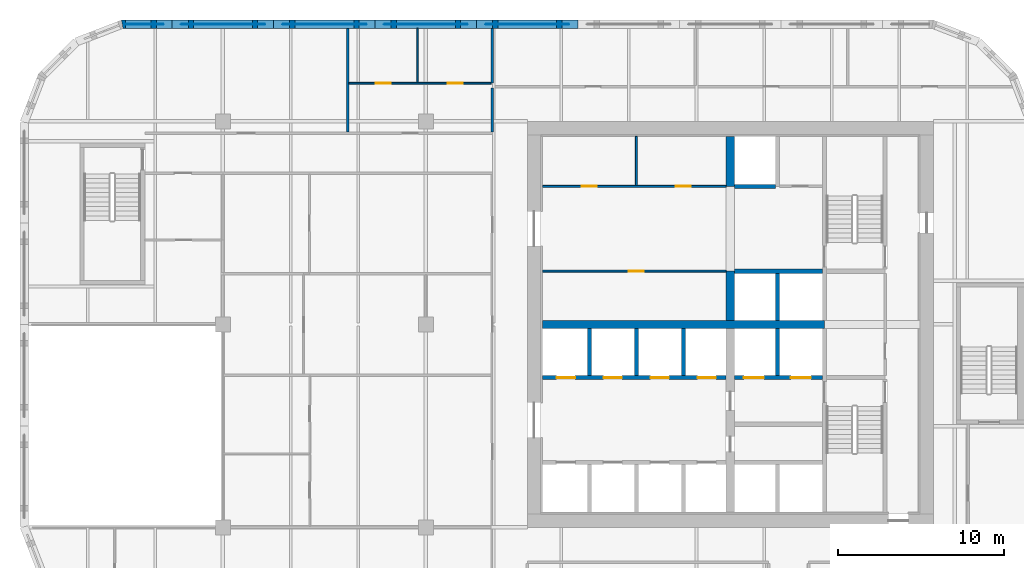
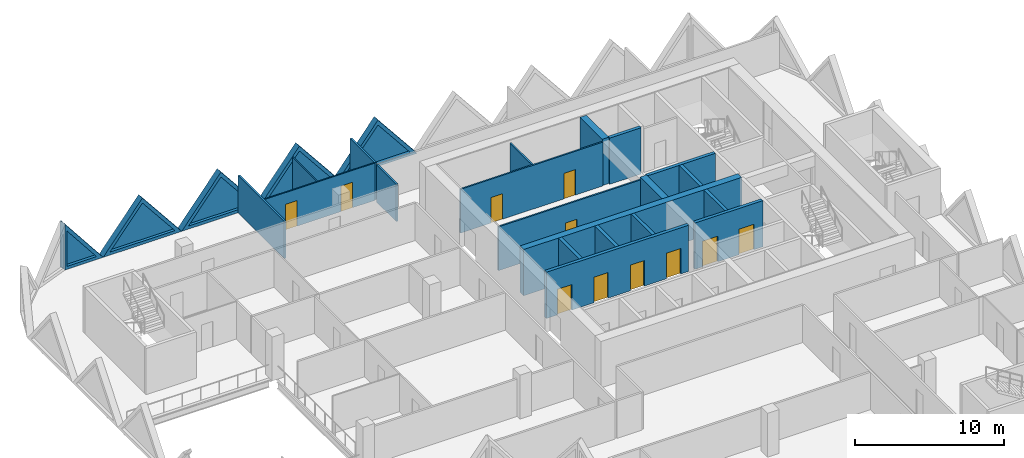
# One storey, part 9 of 19: 25 walls, 11 doors, 5 plates, 16 openings.
"""IFC4 building model written with IfcOpenShell, lengths in metres."""

from ifc_helpers import new_model, si_unit, direction, frame, frame_2d, origin, place, context, subcontext, project, spatial, polyline, rectangle, outline, extrude, faceted_brep, source, transform, mapped, material, layer, layer_set, type_object, element, fill, save


model = new_model("IFC4")

# Units and contexts
model_context = context("Model", 3, precision=1e-05, world=origin(), true_north=direction((0.0, 1.0)))
body_context = subcontext(model_context, "Body", "Model", "MODEL_VIEW")
ifc_project = project(units=[si_unit("LENGTHUNIT", "METRE"), si_unit("AREAUNIT", "SQUARE_METRE"), si_unit("VOLUMEUNIT", "CUBIC_METRE"), si_unit("PLANEANGLEUNIT", "RADIAN"), si_unit("MASSUNIT", "GRAM", prefix="KILO")], contexts=[model_context])

# Site, building, storey
site_placement = place(None, origin())
site = spatial("IfcSite", under=ifc_project, at=site_placement, CompositionType="ELEMENT")
building_placement = place(site_placement, origin())
building = spatial("IfcBuilding", under=site, at=building_placement, Name="Tessera Gate Towers", CompositionType="ELEMENT")
storey_placement = place(building_placement, frame((0.0, 0.0, 68.60009765625)))
storey = spatial("IfcBuildingStorey", under=building, at=storey_placement, Name="L16", CompositionType="ELEMENT", Elevation=68.60009765625)

# Wall, openings, doors
ifc_material_1 = material(Name="Concrete C40/50", Category="concrete")
ifc_layer_1 = layer(ifc_material_1, 0.25)
ifc_layer_set_1 = layer_set([ifc_layer_1], Name="CORE ENCLOSURE WALL 250")
wall_type_1 = type_object("IfcWallType", Name="CORE ENCLOSURE WALL 250", PredefinedType="SOLIDWALL", material=ifc_layer_set_1)
wall_1_placement = place(storey_placement, frame((42.449951171875, 33.39990234375, 0.0), z_axis=(0.0, 0.0, 1.0), x_axis=(-1.0, 0.0, 0.0)))
wall_1 = element("IfcWall", 1, at=wall_1_placement, inside=storey, type_object=wall_type_1, Name="L16 shaft and stair enclosure wall", PredefinedType="SOLIDWALL", context=body_context, shape_type="SweptSolid", body=[
    extrude(rectangle(XDim=11.050048828125, YDim=0.25, at=frame_2d((5.52490234375, 0.0))), origin(), (0.0, 0.0, 1.0), 3.7998046875),
])
shared_shape_1 = source(origin(), body_context, "Body", "SweptSolid", [
    extrude(rectangle(XDim=1.10009765625, YDim=2.10009765625, at=frame_2d((0.550048828125, 1.050048828125))), frame((0.0, 0.135009765625, 0.0), z_axis=(0.0, -1.0, 0.0), x_axis=(1.0, 0.0, 0.0)), (0.0, 0.0, 1.0), 0.27001953125),
])
opening_1_placement = place(wall_1_placement, frame((9.08740234375, 0.0, 0.0)))
opening_1 = element("IfcOpeningElement", 2, at=opening_1_placement, cuts=wall_1, Name="Opening LD-LR5", PredefinedType="OPENING", context=body_context, shape_type="MappedRepresentation", body=[
    mapped(shared_shape_1, transform((0.0, 0.0, 0.0), scale=1.0)),
])
opening_2_placement = place(wall_1_placement, frame((6.262451171875, 0.0, 0.0)))
opening_2 = element("IfcOpeningElement", 3, at=opening_2_placement, cuts=wall_1, Name="Opening LD-LR6", PredefinedType="OPENING", context=body_context, shape_type="MappedRepresentation", body=[
    mapped(shared_shape_1, transform((0.0, 0.0, 0.0), scale=1.0)),
])
opening_3_placement = place(wall_1_placement, frame((3.4375, 0.0, 0.0)))
opening_3 = element("IfcOpeningElement", 4, at=opening_3_placement, cuts=wall_1, Name="Opening LD-LR7", PredefinedType="OPENING", context=body_context, shape_type="MappedRepresentation", body=[
    mapped(shared_shape_1, transform((0.0, 0.0, 0.0), scale=1.0)),
])
opening_4_placement = place(wall_1_placement, frame((0.612548828125, 0.0, 0.0)))
opening_4 = element("IfcOpeningElement", 5, at=opening_4_placement, cuts=wall_1, Name="Opening LD-LR8", PredefinedType="OPENING", context=body_context, shape_type="MappedRepresentation", body=[
    mapped(shared_shape_1, transform((0.0, 0.0, 0.0), scale=1.0)),
])
ifc_material_2 = material(Name="Stainless steel", Category="steel")
door_type_1 = type_object("IfcDoorType", Name="CORE DOOR LD 1100x2100", OperationType="DOUBLE_DOOR_SLIDING", PredefinedType="DOOR", material=ifc_material_2)
shared_shape_2 = source(origin(), body_context, "Body", "SweptSolid", [
    extrude(rectangle(XDim=1.10009765625, YDim=2.10009765625, at=frame_2d((0.550048828125, 1.050048828125))), frame((0.0, 0.02490234375, 0.0), z_axis=(0.0, -1.0, 0.0), x_axis=(1.0, 0.0, 0.0)), (0.0, 0.0, 1.0), 0.050048828125),
])
door_1_placement = place(opening_1_placement, origin())
door_1 = element("IfcDoor", 6, at=door_1_placement, inside=storey, type_object=door_type_1, Name="Landing door LR5 L16", OperationType="DOUBLE_DOOR_SLIDING", OverallHeight=2.10009765625, OverallWidth=1.10009765625, PredefinedType="DOOR", context=body_context, shape_type="MappedRepresentation", body=[
    mapped(shared_shape_2, transform((0.0, 0.0, 0.0), scale=1.0)),
])
fill(opening_1, door_1)
door_2_placement = place(opening_2_placement, origin())
door_2 = element("IfcDoor", 7, at=door_2_placement, inside=storey, type_object=door_type_1, Name="Landing door LR6 L16", OperationType="DOUBLE_DOOR_SLIDING", OverallHeight=2.10009765625, OverallWidth=1.10009765625, PredefinedType="DOOR", context=body_context, shape_type="MappedRepresentation", body=[
    mapped(shared_shape_2, transform((0.0, 0.0, 0.0), scale=1.0)),
])
fill(opening_2, door_2)
door_3_placement = place(opening_3_placement, origin())
door_3 = element("IfcDoor", 8, at=door_3_placement, inside=storey, type_object=door_type_1, Name="Landing door LR7 L16", OperationType="DOUBLE_DOOR_SLIDING", OverallHeight=2.10009765625, OverallWidth=1.10009765625, PredefinedType="DOOR", context=body_context, shape_type="MappedRepresentation", body=[
    mapped(shared_shape_2, transform((0.0, 0.0, 0.0), scale=1.0)),
])
fill(opening_3, door_3)
door_4_placement = place(opening_4_placement, origin())
door_4 = element("IfcDoor", 9, at=door_4_placement, inside=storey, type_object=door_type_1, Name="Landing door LR8 L16", OperationType="DOUBLE_DOOR_SLIDING", OverallHeight=2.10009765625, OverallWidth=1.10009765625, PredefinedType="DOOR", context=body_context, shape_type="MappedRepresentation", body=[
    mapped(shared_shape_2, transform((0.0, 0.0, 0.0), scale=1.0)),
])
fill(opening_4, door_4)

wall_2_placement = place(storey_placement, frame((48.22509765625, 33.39990234375, 0.0), z_axis=(0.0, 0.0, 1.0), x_axis=(-1.0, 0.0, 0.0)))
wall_2 = element("IfcWall", 10, at=wall_2_placement, inside=storey, type_object=wall_type_1, Name="L16 shaft and stair enclosure wall", PredefinedType="SOLIDWALL", context=body_context, shape_type="SweptSolid", body=[
    extrude(rectangle(XDim=5.275146484375, YDim=0.25, at=frame_2d((2.6376953125, 0.0))), origin(), (0.0, 0.0, 1.0), 3.7998046875),
])
shared_shape_3 = source(origin(), body_context, "Body", "SweptSolid", [
    extrude(rectangle(XDim=1.199951171875, YDim=2.10009765625, at=frame_2d((0.60009765625, 1.050048828125))), frame((0.0, 0.135009765625, 0.0), z_axis=(0.0, -1.0, 0.0), x_axis=(1.0, 0.0, 0.0)), (0.0, 0.0, 1.0), 0.27001953125),
])
opening_5_placement = place(wall_2_placement, frame((3.512451171875, 0.0, 0.0)))
opening_5 = element("IfcOpeningElement", 11, at=opening_5_placement, cuts=wall_2, Name="Opening LD-FF1", PredefinedType="OPENING", context=body_context, shape_type="MappedRepresentation", body=[
    mapped(shared_shape_3, transform((0.0, 0.0, 0.0), scale=1.0)),
])
opening_6_placement = place(wall_2_placement, frame((0.6875, 0.0, 0.0)))
opening_6 = element("IfcOpeningElement", 12, at=opening_6_placement, cuts=wall_2, Name="Opening LD-FF2", PredefinedType="OPENING", context=body_context, shape_type="MappedRepresentation", body=[
    mapped(shared_shape_3, transform((0.0, 0.0, 0.0), scale=1.0)),
])
ifc_material_3 = material(Name="Stainless steel", Category="steel")
door_type_2 = type_object("IfcDoorType", Name="CORE DOOR LD1200 1200x2100", OperationType="DOUBLE_DOOR_SLIDING", PredefinedType="DOOR", material=ifc_material_3)
shared_shape_4 = source(origin(), body_context, "Body", "SweptSolid", [
    extrude(rectangle(XDim=1.199951171875, YDim=2.10009765625, at=frame_2d((0.60009765625, 1.050048828125))), frame((0.0, 0.02490234375, 0.0), z_axis=(0.0, -1.0, 0.0), x_axis=(1.0, 0.0, 0.0)), (0.0, 0.0, 1.0), 0.050048828125),
])
door_5_placement = place(opening_5_placement, origin())
door_5 = element("IfcDoor", 13, at=door_5_placement, inside=storey, type_object=door_type_2, Name="Landing door FF1 L16", OperationType="DOUBLE_DOOR_SLIDING", OverallHeight=2.10009765625, OverallWidth=1.199951171875, PredefinedType="DOOR", context=body_context, shape_type="MappedRepresentation", body=[
    mapped(shared_shape_4, transform((0.0, 0.0, 0.0), scale=1.0)),
])
fill(opening_5, door_5)
door_6_placement = place(opening_6_placement, origin())
door_6 = element("IfcDoor", 14, at=door_6_placement, inside=storey, type_object=door_type_2, Name="Landing door FF2 L16", OperationType="DOUBLE_DOOR_SLIDING", OverallHeight=2.10009765625, OverallWidth=1.199951171875, PredefinedType="DOOR", context=body_context, shape_type="MappedRepresentation", body=[
    mapped(shared_shape_4, transform((0.0, 0.0, 0.0), scale=1.0)),
])
fill(opening_6, door_6)

# Walls
wall_3_placement = place(storey_placement, frame((42.949951171875, 39.800048828125, 0.0), z_axis=(0.0, 0.0, 1.0), x_axis=(1.0, 0.0, 0.0)))
element("IfcWall", 15, at=wall_3_placement, inside=storey, type_object=wall_type_1, Name="L16 shaft and stair enclosure wall", PredefinedType="SOLIDWALL", context=body_context, shape_type="SweptSolid", body=[
    extrude(rectangle(XDim=5.275146484375, YDim=0.25, at=frame_2d((2.6376953125, 0.0))), origin(), (0.0, 0.0, 1.0), 3.7998046875),
])
wall_4_placement = place(storey_placement, frame((45.52490234375, 33.52490234375, 0.0), z_axis=(0.0, 0.0, 1.0), x_axis=(0.0, 1.0, 0.0)))
element("IfcWall", 16, at=wall_4_placement, inside=storey, type_object=wall_type_1, Name="L16 shaft and stair enclosure wall", PredefinedType="SOLIDWALL", context=body_context, shape_type="SweptSolid", body=[
    extrude(rectangle(XDim=2.8251953125, YDim=0.25, at=frame_2d((1.41259765625, 0.0))), origin(), (0.0, 0.0, 1.0), 3.7998046875),
])
wall_5_placement = place(storey_placement, frame((45.52490234375, 36.85009765625, 0.0), z_axis=(0.0, 0.0, 1.0), x_axis=(0.0, 1.0, 0.0)))
element("IfcWall", 17, at=wall_5_placement, inside=storey, type_object=wall_type_1, Name="L16 shaft and stair enclosure wall", PredefinedType="SOLIDWALL", context=body_context, shape_type="SweptSolid", body=[
    extrude(rectangle(XDim=2.824951171875, YDim=0.25, at=frame_2d((1.41259765625, 0.0))), origin(), (0.0, 0.0, 1.0), 3.7998046875),
])
for number, where, z_axis, x_axis, name in (
    (18, (34.22509765625, 33.52490234375, 0.0), (0.0, 0.0, 1.0), (0.0, 1.0, 0.0), "L16 shaft and stair enclosure wall"),
    (19, (37.050048828125, 33.52490234375, 0.0), (0.0, 0.0, 1.0), (0.0, 1.0, 0.0), "L16 shaft and stair enclosure wall"),
    (20, (39.875, 33.52490234375, 0.0), (0.0, 0.0, 1.0), (0.0, 1.0, 0.0), "L16 shaft and stair enclosure wall"),
):
    element("IfcWall", number, at=place(storey_placement, frame(where, z_axis=z_axis, x_axis=x_axis)), inside=storey, type_object=wall_type_1, Name=name, PredefinedType="SOLIDWALL", context=body_context, shape_type="SweptSolid", body=[
        extrude(rectangle(XDim=2.8251953125, YDim=0.25, at=frame_2d((1.41259765625, 0.0))), origin(), (0.0, 0.0, 1.0), 3.7998046875),
    ])
wall_6_placement = place(storey_placement, frame((42.949951171875, 44.89990234375, 0.0), z_axis=(0.0, 0.0, 1.0), x_axis=(1.0, 0.0, 0.0)))
element("IfcWall", 21, at=wall_6_placement, inside=storey, type_object=wall_type_1, Name="L16 shaft and stair enclosure wall", PredefinedType="SOLIDWALL", context=body_context, shape_type="SweptSolid", body=[
    extrude(rectangle(XDim=2.449951171875, YDim=0.25, at=frame_2d((1.22509765625, 0.0))), origin(), (0.0, 0.0, 1.0), 3.7998046875),
])

# Wall, opening, door
ifc_material_4 = material(Name="Gypsum board on steel studs", Category="steel")
ifc_layer_2 = layer(ifc_material_4, 0.1201171875)
ifc_layer_set_2 = layer_set([ifc_layer_2], Name="CORE PARTITION 120")
wall_type_2 = type_object("IfcWallType", Name="CORE PARTITION 120", PredefinedType="PARTITIONING", material=ifc_layer_set_2)
wall_7_placement = place(storey_placement, frame((42.449951171875, 39.800048828125, 0.0), z_axis=(0.0, 0.0, 1.0), x_axis=(-1.0, 0.0, 0.0)))
wall_7 = element("IfcWall", 22, at=wall_7_placement, inside=storey, type_object=wall_type_2, Name="L16 core partition", PredefinedType="PARTITIONING", context=body_context, shape_type="SweptSolid", body=[
    extrude(rectangle(XDim=11.050048828125, YDim=0.1201171875, at=frame_2d((5.52490234375, 0.0))), origin(), (0.0, 0.0, 1.0), 3.599853515625),
])
shared_shape_5 = source(origin(), body_context, "Body", "SweptSolid", [
    extrude(rectangle(XDim=0.89990234375, YDim=2.10009765625, at=frame_2d((0.449951171875, 1.050048828125))), frame((0.0, 0.070068359375, 0.0), z_axis=(0.0, -1.0, 0.0), x_axis=(1.0, 0.0, 0.0)), (0.0, 0.0, 1.0), 0.14013671875),
])
opening_7_placement = place(wall_7_placement, frame((4.949951171875, 0.0, 0.0)))
opening_7 = element("IfcOpeningElement", 23, at=opening_7_placement, cuts=wall_7, Name="Opening RD-T1-12-07", PredefinedType="OPENING", context=body_context, shape_type="MappedRepresentation", body=[
    mapped(shared_shape_5, transform((0.0, 0.0, 0.0), scale=1.0)),
])
ifc_material_5 = material(Name="Hollow steel fire door", Category="steel")
door_type_3 = type_object("IfcDoorType", Name="CORE DOOR RD 900x2100", OperationType="NOTDEFINED", PredefinedType="DOOR", material=ifc_material_5)
shared_shape_6 = source(origin(), body_context, "Body", "SweptSolid", [
    extrude(rectangle(XDim=0.89990234375, YDim=2.10009765625, at=frame_2d((0.449951171875, 1.050048828125))), frame((0.0, 0.02490234375, 0.0), z_axis=(0.0, -1.0, 0.0), x_axis=(1.0, 0.0, 0.0)), (0.0, 0.0, 1.0), 0.050048828125),
])
door_7_placement = place(opening_7_placement, origin())
door_7 = element("IfcDoor", 24, at=door_7_placement, inside=storey, type_object=door_type_3, Name="Core room door", OperationType="SINGLE_SWING_LEFT", OverallHeight=2.10009765625, OverallWidth=0.89990234375, PredefinedType="DOOR", context=body_context, shape_type="MappedRepresentation", body=[
    mapped(shared_shape_6, transform((0.0, 0.0, 0.0), scale=1.0)),
])
fill(opening_7, door_7)

# Wall, openings, doors
wall_8_placement = place(storey_placement, frame((31.39990234375, 44.89990234375, 0.0), z_axis=(0.0, 0.0, 1.0), x_axis=(1.0, 0.0, 0.0)))
wall_8 = element("IfcWall", 25, at=wall_8_placement, inside=storey, type_object=wall_type_2, Name="L16 core partition", PredefinedType="PARTITIONING", context=body_context, shape_type="SweptSolid", body=[
    extrude(rectangle(XDim=11.050048828125, YDim=0.1201171875, at=frame_2d((5.52490234375, 0.0))), origin(), (0.0, 0.0, 1.0), 3.599853515625),
])
opening_8_placement = place(wall_8_placement, frame((2.375, 0.0, 0.0)))
opening_8 = element("IfcOpeningElement", 26, at=opening_8_placement, cuts=wall_8, Name="Opening RD-T1-12-08", PredefinedType="OPENING", context=body_context, shape_type="MappedRepresentation", body=[
    mapped(shared_shape_5, transform((0.0, 0.0, 0.0), scale=1.0)),
])
opening_9_placement = place(wall_8_placement, frame((8.02490234375, 0.0, 0.0)))
opening_9 = element("IfcOpeningElement", 27, at=opening_9_placement, cuts=wall_8, Name="Opening RD-T1-12-09", PredefinedType="OPENING", context=body_context, shape_type="MappedRepresentation", body=[
    mapped(shared_shape_5, transform((0.0, 0.0, 0.0), scale=1.0)),
])
door_8_placement = place(opening_8_placement, origin())
door_8 = element("IfcDoor", 28, at=door_8_placement, inside=storey, type_object=door_type_3, Name="Core room door", OperationType="SINGLE_SWING_LEFT", OverallHeight=2.10009765625, OverallWidth=0.89990234375, PredefinedType="DOOR", context=body_context, shape_type="MappedRepresentation", body=[
    mapped(shared_shape_6, transform((0.0, 0.0, 0.0), scale=1.0)),
])
fill(opening_8, door_8)
door_9_placement = place(opening_9_placement, origin())
door_9 = element("IfcDoor", 29, at=door_9_placement, inside=storey, type_object=door_type_3, Name="Core room door", OperationType="SINGLE_SWING_RIGHT", OverallHeight=2.10009765625, OverallWidth=0.89990234375, PredefinedType="DOOR", context=body_context, shape_type="MappedRepresentation", body=[
    mapped(shared_shape_6, transform((0.0, 0.0, 0.0), scale=1.0)),
])
fill(opening_9, door_9)

# Walls
wall_9_placement = place(storey_placement, frame((37.050048828125, 44.9599609375, 0.0), z_axis=(0.0, 0.0, 1.0), x_axis=(0.0, 1.0, 0.0)))
element("IfcWall", 30, at=wall_9_placement, inside=storey, type_object=wall_type_2, Name="L16 core partition", PredefinedType="PARTITIONING", context=body_context, shape_type="SweptSolid", body=[
    extrude(rectangle(XDim=2.93994140625, YDim=0.1201171875, at=frame_2d((1.469970703125, 0.0))), origin(), (0.0, 0.0, 1.0), 3.599853515625),
])
ifc_material_6 = material(Name="Concrete C60/75", Category="concrete")
ifc_layer_3 = layer(ifc_material_6, 0.5)
ifc_layer_set_3 = layer_set([ifc_layer_3], Name="CORE SPINE WALL 500 C60/75")
wall_type_3 = type_object("IfcWallType", Name="CORE SPINE WALL 500 C60/75", PredefinedType="SHEAR", material=ifc_layer_set_3)
wall_10_placement = place(storey_placement, frame((31.39990234375, 36.60009765625, 0.0), z_axis=(0.0, 0.0, 1.0), x_axis=(1.0, 0.0, 0.0)))
element("IfcWall", 31, at=wall_10_placement, inside=storey, type_object=wall_type_3, Name="Core wall spine L16", PredefinedType="SHEAR", context=body_context, shape_type="SweptSolid", body=[
    extrude(rectangle(XDim=16.9501953125, YDim=0.5, at=frame_2d((8.47509765625, 0.0))), origin(), (0.0, 0.0, 1.0), 3.7998046875),
])
wall_11_placement = place(storey_placement, frame((42.699951171875, 36.85009765625, 0.0), z_axis=(0.0, 0.0, 1.0), x_axis=(0.0, 1.0, 0.0)))
element("IfcWall", 32, at=wall_11_placement, inside=storey, type_object=wall_type_3, Name="Core wall spine L16", PredefinedType="SHEAR", context=body_context, shape_type="SweptSolid", body=[
    extrude(rectangle(XDim=2.949951171875, YDim=0.5, at=frame_2d((1.47509765625, 0.0))), origin(), (0.0, 0.0, 1.0), 3.7998046875),
])
wall_12_placement = place(storey_placement, frame((42.699951171875, 44.89990234375, 0.0), z_axis=(0.0, 0.0, 1.0), x_axis=(0.0, 1.0, 0.0)))
element("IfcWall", 33, at=wall_12_placement, inside=storey, type_object=wall_type_3, Name="Core wall spine L16", PredefinedType="SHEAR", context=body_context, shape_type="SweptSolid", body=[
    extrude(rectangle(XDim=3.0, YDim=0.5, at=frame_2d((1.5, 0.0))), origin(), (0.0, 0.0, 1.0), 3.7998046875),
])
ifc_material_7 = material(Name="Gypsum board on steel studs, mineral wool", Category="steel")
ifc_layer_4 = layer(ifc_material_7, 0.14990234375)
ifc_layer_set_4 = layer_set([ifc_layer_4], Name="CORRIDOR WALL 150")
wall_type_4 = type_object("IfcWallType", Name="CORRIDOR WALL 150", PredefinedType="PARTITIONING", material=ifc_layer_set_4)
wall_13_placement = place(storey_placement, frame((28.39990234375, 48.176025390625, 0.0), z_axis=(0.0, 0.0, 1.0), x_axis=(0.0, 1.0, 0.0)))
element("IfcWall", 34, at=wall_13_placement, inside=storey, type_object=wall_type_4, Name="T1-L16-PW-045", PredefinedType="PARTITIONING", context=body_context, shape_type="SweptSolid", body=[
    extrude(rectangle(XDim=2.64794921875, YDim=0.14990234375, at=frame_2d((1.323974609375, 0.0))), origin(), (0.0, 0.0, 1.0), 3.06689453125),
])

# Wall, openings, doors
ifc_material_8 = material(Name="Gypsum board on steel studs", Category="steel")
ifc_layer_5 = layer(ifc_material_8, 0.10009765625)
ifc_layer_set_5 = layer_set([ifc_layer_5], Name="PARTITION 100")
wall_type_5 = type_object("IfcWallType", Name="PARTITION 100", PredefinedType="PARTITIONING", material=ifc_layer_set_5)
wall_14_placement = place(storey_placement, frame((19.77587890625, 51.10009765625, 0.0), z_axis=(0.0, 0.0, 1.0), x_axis=(1.0, 0.0, 0.0)))
wall_14 = element("IfcWall", 35, at=wall_14_placement, inside=storey, type_object=wall_type_5, Name="T1-L16-PW-049", PredefinedType="PARTITIONING", context=body_context, shape_type="SweptSolid", body=[
    extrude(rectangle(XDim=8.548095703125, YDim=0.10009765625, at=frame_2d((4.27392578125, 0.0))), origin(), (0.0, 0.0, 1.0), 3.06689453125),
])
shared_shape_7 = source(origin(), body_context, "Body", "SweptSolid", [
    extrude(rectangle(XDim=0.89990234375, YDim=2.10009765625, at=frame_2d((0.449951171875, 1.050048828125))), frame((0.0, 0.06005859375, 0.0), z_axis=(0.0, -1.0, 0.0), x_axis=(1.0, 0.0, 0.0)), (0.0, 0.0, 1.0), 0.1201171875),
])
opening_10_placement = place(wall_14_placement, frame((1.60009765625, 0.0, 0.0)))
opening_10 = element("IfcOpeningElement", 36, at=opening_10_placement, cuts=wall_14, Name="Opening D190-A06-01", PredefinedType="OPENING", context=body_context, shape_type="MappedRepresentation", body=[
    mapped(shared_shape_7, transform((0.0, 0.0, 0.0), scale=1.0)),
])
opening_11_placement = place(wall_14_placement, frame((5.927001953125, 0.0, 0.0)))
opening_11 = element("IfcOpeningElement", 37, at=opening_11_placement, cuts=wall_14, Name="Opening D190-A06-03", PredefinedType="OPENING", context=body_context, shape_type="MappedRepresentation", body=[
    mapped(shared_shape_7, transform((0.0, 0.0, 0.0), scale=1.0)),
])
ifc_material_9 = material(Name="Timber door leaf in steel frame", Category="steel")
door_type_4 = type_object("IfcDoorType", Name="INTERNAL DOOR 900 NOT RATED", OperationType="NOTDEFINED", PredefinedType="DOOR", material=ifc_material_9)
door_10_placement = place(opening_10_placement, origin())
door_10 = element("IfcDoor", 38, at=door_10_placement, inside=storey, type_object=door_type_4, Name="T1-L16-PD-002", OperationType="SINGLE_SWING_LEFT", OverallHeight=2.10009765625, OverallWidth=0.89990234375, PredefinedType="DOOR", context=body_context, shape_type="MappedRepresentation", body=[
    mapped(shared_shape_6, transform((0.0, 0.0, 0.0), scale=1.0)),
])
fill(opening_10, door_10)
door_11_placement = place(opening_11_placement, origin())
door_11 = element("IfcDoor", 39, at=door_11_placement, inside=storey, type_object=door_type_4, Name="T1-L16-PD-005", OperationType="SINGLE_SWING_LEFT", OverallHeight=2.10009765625, OverallWidth=0.89990234375, PredefinedType="DOOR", context=body_context, shape_type="MappedRepresentation", body=[
    mapped(shared_shape_6, transform((0.0, 0.0, 0.0), scale=1.0)),
])
fill(opening_11, door_11)

# Walls
wall_15_placement = place(storey_placement, frame((23.903076171875, 51.15087890625, 0.0), z_axis=(0.0, 0.0, 1.0), x_axis=(0.0, 1.0, 0.0)))
element("IfcWall", 40, at=wall_15_placement, inside=storey, type_object=wall_type_5, Name="T1-L16-PW-051", PredefinedType="PARTITIONING", context=body_context, shape_type="SweptSolid", body=[
    extrude(rectangle(XDim=3.2490234375, YDim=0.10009765625, at=frame_2d((1.62451171875, 0.0))), origin(), (0.0, 0.0, 1.0), 3.06689453125),
])
ifc_material_10 = material(Name="Gypsum board on steel studs, mineral wool", Category="steel")
ifc_layer_6 = layer(ifc_material_10, 0.14990234375)
ifc_layer_set_6 = layer_set([ifc_layer_6], Name="TENANCY WALL 150")
wall_type_6 = type_object("IfcWallType", Name="TENANCY WALL 150", PredefinedType="PARTITIONING", material=ifc_layer_set_6)
wall_16_placement = place(storey_placement, frame((19.699951171875, 48.176025390625, 0.0), z_axis=(0.0, 0.0, 1.0), x_axis=(0.0, 1.0, 0.0)))
element("IfcWall", 41, at=wall_16_placement, inside=storey, type_object=wall_type_6, Name="T1-L16-PW-044", PredefinedType="PARTITIONING", context=body_context, shape_type="SweptSolid", body=[
    extrude(rectangle(XDim=6.223876953125, YDim=0.14990234375, at=frame_2d((3.11181640625, 0.0))), origin(), (0.0, 0.0, 1.0), 3.06689453125),
])
wall_17_placement = place(storey_placement, frame((28.39990234375, 51.10009765625, 0.0), z_axis=(0.0, 0.0, 1.0), x_axis=(0.0, 1.0, 0.0)))
element("IfcWall", 42, at=wall_17_placement, inside=storey, type_object=wall_type_6, Name="T1-L16-PW-050", PredefinedType="PARTITIONING", context=body_context, shape_type="SweptSolid", body=[
    extrude(rectangle(XDim=3.2998046875, YDim=0.14990234375, at=frame_2d((1.64990234375, 0.0))), origin(), (0.0, 0.0, 1.0), 3.06689453125),
])

# Wall, opening, plate
ifc_material_11 = material(Name="Precast concrete C60/75 white", Category="concrete")
ifc_layer_7 = layer(ifc_material_11, 0.5)
ifc_layer_set_7 = layer_set([ifc_layer_7], Name="TS2 half tessera")
wall_type_7 = type_object("IfcWallType", Name="TS2 half tessera", PredefinedType="SOLIDWALL", material=ifc_layer_set_7)
shared_shape_8 = source(origin(), body_context, "Body", "Brep", [
    faceted_brep([(6.099853515625, -0.25, 0.000244140625), (3.050048828125, -0.25, 3.7998046875), (0.0, -0.25, 0.0), (6.099853515625, -0.25, 0.0), (0.0, 0.25, 0.0), (3.050048828125, 0.25, 3.7998046875), (6.099853515625, 0.25, 0.000244140625), (6.099853515625, 0.25, 0.0)], [[[0, 1, 2, 3]], [[4, 5, 6, 7]], [[6, 5, 1, 0]], [[5, 4, 2, 1]], [[4, 7, 3, 2]], [[3, 7, 6, 0]]]),
])
wall_18_placement = place(storey_placement, frame((27.449951171875, 54.64990234375, 0.0), z_axis=(0.0, 0.0, 1.0), x_axis=(-1.0, 0.0, 0.0)))
wall_18 = element("IfcWall", 43, at=wall_18_placement, inside=storey, type_object=wall_type_7, Name="Precast half tessera T1 TS2-0106", PredefinedType="SOLIDWALL", context=body_context, shape_type="MappedRepresentation", body=[
    mapped(shared_shape_8, transform((0.0, 0.0, 0.0), scale=1.0)),
])
shared_shape_9 = source(origin(), body_context, "Body", "SweptSolid", [
    extrude(outline(polyline([(5.578857421875, 0.25), (3.050048828125, 3.400390625), (0.521240234375, 0.25), (5.578857421875, 0.25)])), frame((0.0, 0.260009765625, 0.0), z_axis=(0.0, -1.0, 0.0), x_axis=(1.0, 0.0, 0.0)), (0.0, 0.0, 1.0), 0.52001953125),
])
opening_12_placement = place(wall_18_placement, origin())
opening_12 = element("IfcOpeningElement", 44, at=opening_12_placement, cuts=wall_18, Name="Opening T1-PL1-0212", PredefinedType="OPENING", context=body_context, shape_type="MappedRepresentation", body=[
    mapped(shared_shape_9, transform((0.0, 0.0, 0.0), scale=1.0)),
])
ifc_material_12 = material(Name="Low-e laminated glass", Category="glass")
ifc_layer_8 = layer(ifc_material_12, 0.06005859375)
ifc_layer_set_8 = layer_set([ifc_layer_8], Name="PL1 triangular pane")
plate_type = type_object("IfcPlateType", Name="PL1 triangular pane", PredefinedType="SHEET", material=ifc_layer_set_8)
shared_shape_10 = source(origin(), body_context, "Body", "SweptSolid", [
    extrude(outline(polyline([(5.578857421875, 0.25), (3.050048828125, 3.400390625), (0.521240234375, 0.25), (5.578857421875, 0.25)])), frame((0.0, 0.030029296875, 0.0), z_axis=(0.0, -1.0, 0.0), x_axis=(1.0, 0.0, 0.0)), (0.0, 0.0, 1.0), 0.06005859375),
])
plate_1_placement = place(opening_12_placement, origin())
plate_1 = element("IfcPlate", 45, at=plate_1_placement, inside=storey, type_object=plate_type, Name="Glass pane T1 PL1-0212", PredefinedType="SHEET", context=body_context, shape_type="MappedRepresentation", body=[
    mapped(shared_shape_10, transform((0.0, 0.0, 0.0), scale=1.0)),
])
fill(opening_12, plate_1)

shared_shape_11 = source(origin(), body_context, "Body", "SweptSolid", [
    extrude(outline(polyline([(6.10009765625, 0.0), (3.050048828125, 3.7998046875), (0.0, 0.0), (6.10009765625, 0.0)])), frame((0.0, 0.25, 0.0), z_axis=(0.0, -1.0, 0.0), x_axis=(1.0, 0.0, 0.0)), (0.0, 0.0, 1.0), 0.5),
])
wall_19_placement = place(storey_placement, frame((33.550048828125, 54.64990234375, 0.0), z_axis=(0.0, 0.0, 1.0), x_axis=(-1.0, 0.0, 0.0)))
wall_19 = element("IfcWall", 46, at=wall_19_placement, inside=storey, type_object=wall_type_7, Name="Precast half tessera T1 TS2-0105", PredefinedType="SOLIDWALL", context=body_context, shape_type="MappedRepresentation", body=[
    mapped(shared_shape_11, transform((0.0, 0.0, 0.0), scale=1.0)),
])
opening_13_placement = place(wall_19_placement, origin())
opening_13 = element("IfcOpeningElement", 47, at=opening_13_placement, cuts=wall_19, Name="Opening T1-PL1-0211", PredefinedType="OPENING", context=body_context, shape_type="MappedRepresentation", body=[
    mapped(shared_shape_9, transform((0.0, 0.0, 0.0), scale=1.0)),
])
plate_2_placement = place(opening_13_placement, origin())
plate_2 = element("IfcPlate", 48, at=plate_2_placement, inside=storey, type_object=plate_type, Name="Glass pane T1 PL1-0211", PredefinedType="SHEET", context=body_context, shape_type="MappedRepresentation", body=[
    mapped(shared_shape_10, transform((0.0, 0.0, 0.0), scale=1.0)),
])
fill(opening_13, plate_2)

wall_20_placement = place(storey_placement, frame((21.35009765625, 54.64990234375, 0.0), z_axis=(0.0, 0.0, 1.0), x_axis=(-1.0, 0.0, 0.0)))
wall_20 = element("IfcWall", 49, at=wall_20_placement, inside=storey, type_object=wall_type_7, Name="Precast half tessera T1 TS2-0107", PredefinedType="SOLIDWALL", context=body_context, shape_type="MappedRepresentation", body=[
    mapped(shared_shape_11, transform((0.0, 0.0, 0.0), scale=1.0)),
])
opening_14_placement = place(wall_20_placement, origin())
opening_14 = element("IfcOpeningElement", 50, at=opening_14_placement, cuts=wall_20, Name="Opening T1-PL1-0213", PredefinedType="OPENING", context=body_context, shape_type="MappedRepresentation", body=[
    mapped(shared_shape_9, transform((0.0, 0.0, 0.0), scale=1.0)),
])
plate_3_placement = place(opening_14_placement, origin())
plate_3 = element("IfcPlate", 51, at=plate_3_placement, inside=storey, type_object=plate_type, Name="Glass pane T1 PL1-0213", PredefinedType="SHEET", context=body_context, shape_type="MappedRepresentation", body=[
    mapped(shared_shape_10, transform((0.0, 0.0, 0.0), scale=1.0)),
])
fill(opening_14, plate_3)

wall_21_placement = place(storey_placement, frame((15.25, 54.64990234375, 0.0), z_axis=(0.0, 0.0, 1.0), x_axis=(-1.0, 0.0, 0.0)))
wall_21 = element("IfcWall", 52, at=wall_21_placement, inside=storey, type_object=wall_type_7, Name="Precast half tessera T1 TS2-0108", PredefinedType="SOLIDWALL", context=body_context, shape_type="MappedRepresentation", body=[
    mapped(shared_shape_11, transform((0.0, 0.0, 0.0), scale=1.0)),
])
opening_15_placement = place(wall_21_placement, origin())
opening_15 = element("IfcOpeningElement", 53, at=opening_15_placement, cuts=wall_21, Name="Opening T1-PL1-0214", PredefinedType="OPENING", context=body_context, shape_type="MappedRepresentation", body=[
    mapped(shared_shape_9, transform((0.0, 0.0, 0.0), scale=1.0)),
])
plate_4_placement = place(opening_15_placement, origin())
plate_4 = element("IfcPlate", 54, at=plate_4_placement, inside=storey, type_object=plate_type, Name="Glass pane T1 PL1-0214", PredefinedType="SHEET", context=body_context, shape_type="MappedRepresentation", body=[
    mapped(shared_shape_10, transform((0.0, 0.0, 0.0), scale=1.0)),
])
fill(opening_15, plate_4)

ifc_material_13 = material(Name="Precast concrete C60/75 white", Category="concrete")
ifc_layer_9 = layer(ifc_material_13, 0.5)
ifc_layer_set_9 = layer_set([ifc_layer_9], Name="TS3 corner tessera")
wall_type_8 = type_object("IfcWallType", Name="TS3 corner tessera", PredefinedType="SOLIDWALL", material=ifc_layer_set_9)
shared_shape_12 = source(origin(), body_context, "Body", "Brep", [
    faceted_brep([(3.050048828125, -0.25, 3.73974609375), (3.00341796875, -0.25, 3.7998046875), (0.0, -0.25, 0.0), (3.050048828125, -0.25, 0.0), (0.0, 0.25, 0.0), (2.956787109375, 0.25, 3.740966796875), (2.956787109375, 0.25, 0.0), (3.00341796875, 0.000244140625, 3.7998046875)], [[[0, 1, 2, 3]], [[4, 5, 6]], [[7, 1, 0]], [[5, 4, 2, 1, 7]], [[4, 6, 3, 2]], [[3, 6, 5, 7, 0]]]),
])
wall_22_placement = place(storey_placement, frame((9.14990234375, 54.64990234375, 0.0), z_axis=(0.0, 0.0, 1.0), x_axis=(-1.0, 0.0, 0.0)))
wall_22 = element("IfcWall", 55, at=wall_22_placement, inside=storey, type_object=wall_type_8, Name="Precast corner tessera T1 TS3-0347", PredefinedType="SOLIDWALL", context=body_context, shape_type="MappedRepresentation", body=[
    mapped(shared_shape_12, transform((0.0, 0.0, 0.0), scale=1.0)),
])
shared_shape_13 = source(origin(), body_context, "Body", "SweptSolid", [
    extrude(outline(polyline([(2.803466796875, 3.143798828125), (0.516357421875, 0.25), (2.803466796875, 0.25), (2.803466796875, 3.143798828125)])), frame((0.0, 0.260009765625, 0.0), z_axis=(0.0, -1.0, 0.0), x_axis=(1.0, 0.0, 0.0)), (0.0, 0.0, 1.0), 0.52001953125),
])
opening_16_placement = place(wall_22_placement, origin())
opening_16 = element("IfcOpeningElement", 56, at=opening_16_placement, cuts=wall_22, Name="Opening T1-PL1-0215", PredefinedType="OPENING", context=body_context, shape_type="MappedRepresentation", body=[
    mapped(shared_shape_13, transform((0.0, 0.0, 0.0), scale=1.0)),
])
shared_shape_14 = source(origin(), body_context, "Body", "SweptSolid", [
    extrude(outline(polyline([(2.803466796875, 3.143798828125), (0.516357421875, 0.25), (2.803466796875, 0.25), (2.803466796875, 3.143798828125)])), frame((0.0, 0.030029296875, 0.0), z_axis=(0.0, -1.0, 0.0), x_axis=(1.0, 0.0, 0.0)), (0.0, 0.0, 1.0), 0.06005859375),
])
plate_5_placement = place(opening_16_placement, origin())
plate_5 = element("IfcPlate", 57, at=plate_5_placement, inside=storey, type_object=plate_type, Name="Glass pane T1 PL1-0215", PredefinedType="SHEET", context=body_context, shape_type="MappedRepresentation", body=[
    mapped(shared_shape_14, transform((0.0, 0.0, 0.0), scale=1.0)),
])
fill(opening_16, plate_5)

save(model, "model.ifc")
